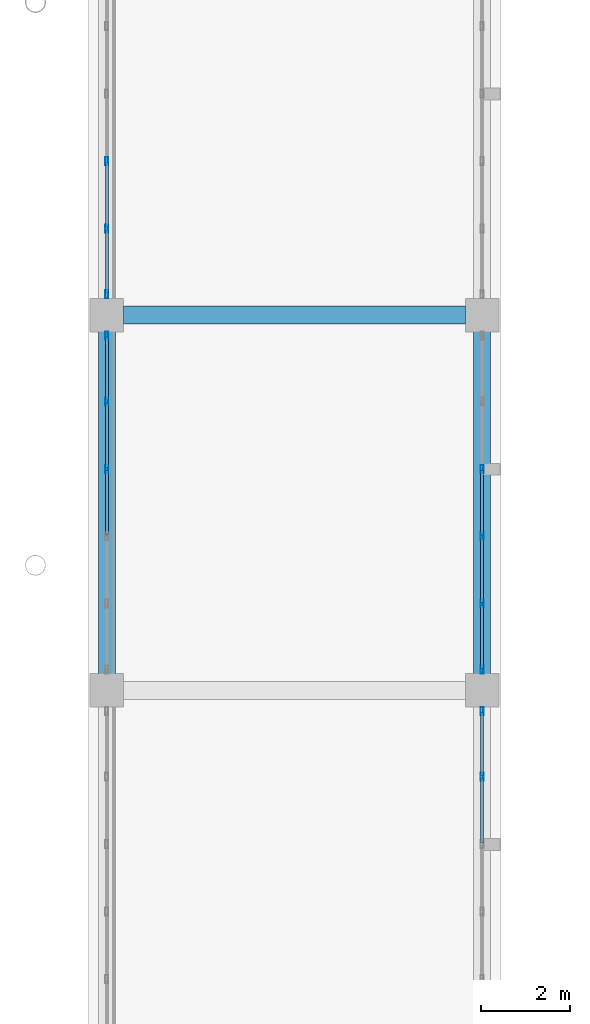
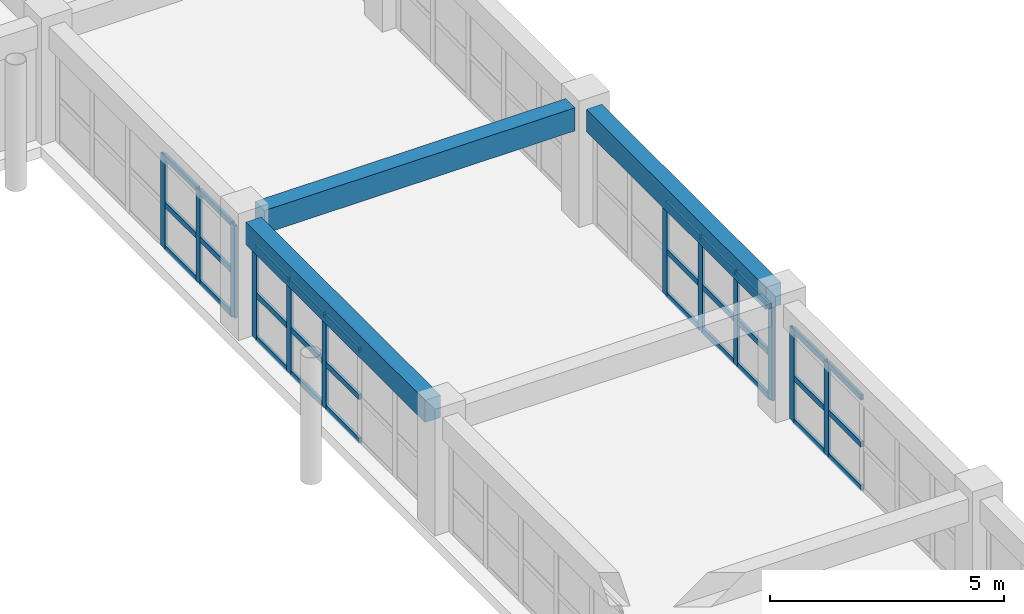
# One storey, part 139 of 200: 42 members, 3 beams, 4 elements without a shape of their own.
"""IFC4 building model written with IfcOpenShell, lengths in metres."""

from ifc_helpers import new_model, si_unit, direction, frame, origin, origin_2d, place, context, subcontext, project, spatial, rectangle, hollow_rectangle, extrude, material, layer, layer_set, material_profile, profile_set, type_object, element, aggregate, save


model = new_model("IFC4")

# Units and contexts
model_context = context("Model", 3, precision=1e-05, world=origin(), true_north=direction((0.0, 1.0)))
body_context = subcontext(model_context, "Body", "Model", "MODEL_VIEW")
ifc_project = project(units=[si_unit("LENGTHUNIT", "METRE"), si_unit("AREAUNIT", "SQUARE_METRE"), si_unit("VOLUMEUNIT", "CUBIC_METRE"), si_unit("PLANEANGLEUNIT", "RADIAN"), si_unit("MASSUNIT", "GRAM", prefix="KILO")], contexts=[model_context])

# Site, building, storey
site_placement = place(None, origin())
site = spatial("IfcSite", under=ifc_project, at=site_placement, CompositionType="ELEMENT")
building_placement = place(site_placement, origin())
building = spatial("IfcBuilding", under=site, at=building_placement, Name="Trelvath General Hospital", CompositionType="ELEMENT")
storey_placement = place(building_placement, frame((0.0, 0.0, 4.800048828125)))
storey = spatial("IfcBuildingStorey", under=building, at=storey_placement, Name="L01", CompositionType="ELEMENT", Elevation=4.800048828125)

# Beams
ifc_material_1 = material(Name="Concrete C35/45", Category="concrete")
ifc_material_profile_1 = material_profile(ifc_material_1, rectangle(XDim=0.3798828125, YDim=0.580078125, at=origin_2d()), Name="RCB380x580")
ifc_profile_set_1 = profile_set([ifc_material_profile_1], Name="Concrete C35/45")
beam_type_1 = type_object("IfcBeamType", Name="Beam RC380x580", PredefinedType="BEAM", material=ifc_profile_set_1)
for number, where, z_axis, x_axis, name in (
    (1, (176.39990234375, 50.77001953125, 2.72998046875), (0.0, 1.0, 0.0), (-1.0, 0.0, 0.0), "Grid Beam BY-121G"),
    (2, (184.800048828125, 50.77001953125, 2.72998046875), (0.0, 1.0, 0.0), (-1.0, 0.0, 0.0), "Grid Beam BY-122G"),
):
    element("IfcBeam", number, at=place(storey_placement, frame(where, z_axis=z_axis, x_axis=x_axis)), inside=storey, type_object=beam_type_1, Name=name, PredefinedType="BEAM", context=body_context, shape_type="SweptSolid", body=[
        extrude(rectangle(XDim=0.3798828125, YDim=0.580078125, at=origin_2d()), origin(), (0.0, 0.0, 1.0), 7.659912109375),
    ])
ifc_material_2 = material(Name="Concrete C35/45", Category="concrete")
ifc_material_profile_2 = material_profile(ifc_material_2, rectangle(XDim=0.39990234375, YDim=0.60009765625, at=origin_2d()), Name="RCB400x600")
ifc_profile_set_2 = profile_set([ifc_material_profile_2], Name="Concrete C35/45")
beam_type_2 = type_object("IfcBeamType", Name="Beam RC400x600", PredefinedType="BEAM", material=ifc_profile_set_2)
beam_placement = place(storey_placement, frame((176.77001953125, 58.800048828125, 2.719970703125), z_axis=(1.0, 0.0, 0.0), x_axis=(0.0, 1.0, 0.0)))
element("IfcBeam", 3, at=beam_placement, inside=storey, type_object=beam_type_2, Name="Grid Beam BX-121H", PredefinedType="BEAM", context=body_context, shape_type="SweptSolid", body=[
    extrude(rectangle(XDim=0.39990234375, YDim=0.60009765625, at=origin_2d()), origin(), (0.0, 0.0, 1.0), 7.659912109375),
])

# Curtain wall, members
ifc_material_3 = material(Name="Anodised aluminium and low-E glass", Category="aluminium")
ifc_layer = layer(ifc_material_3, 0.179931640625)
ifc_layer_set = layer_set([ifc_layer], Name="Anodised aluminium and low-E glass")
curtain_wall_type = type_object("IfcCurtainWallType", Name="CW Facade 754 242 18", PredefinedType="USERDEFINED", material=ifc_layer_set)
curtain_wall_1_placement = place(storey_placement, origin())
curtain_wall_1 = element("IfcCurtainWall", 4, at=curtain_wall_1_placement, inside=storey, type_object=curtain_wall_type, Name="Facade Curtain Wall CW-035", ObjectType="Unitised Glazed Curtain Wall", PredefinedType="USERDEFINED")
ifc_material_4 = material(Name="Anodised aluminium", Category="aluminium")
ifc_material_profile_3 = material_profile(ifc_material_4, hollow_rectangle(XDim=0.06494140625, YDim=0.179931640625, WallThickness=0.0048828125, at=origin_2d()), Name="RHS65x180x5")
ifc_profile_set_3 = profile_set([ifc_material_profile_3], Name="Anodised aluminium")
member_type_1 = type_object("IfcMemberType", Name="CurtainMullion 65x180", PredefinedType="MULLION", material=ifc_profile_set_3)
member_1_placement = place(storey_placement, frame((184.800048828125, 49.9375, 0.0), z_axis=(0.0, 0.0, 1.0), x_axis=(1.0, 0.0, 0.0)))
member_1 = element("IfcMember", 5, at=member_1_placement, type_object=member_type_1, Name="CW-035 mullion 1", PredefinedType="MULLION", context=body_context, shape_type="SweptSolid", body=[
    extrude(hollow_rectangle(XDim=0.06494140625, YDim=0.179931640625, WallThickness=0.0048828125, at=origin_2d()), origin(), (0.0, 0.0, 1.0), 2.419921875),
])
member_2_placement = place(storey_placement, frame((184.800048828125, 48.4619140625, 0.0), z_axis=(0.0, 0.0, 1.0), x_axis=(1.0, 0.0, 0.0)))
member_2 = element("IfcMember", 6, at=member_2_placement, type_object=member_type_1, Name="CW-035 mullion 2", PredefinedType="MULLION", context=body_context, shape_type="SweptSolid", body=[
    extrude(hollow_rectangle(XDim=0.06494140625, YDim=0.179931640625, WallThickness=0.0048828125, at=origin_2d()), origin(), (0.0, 0.0, 1.0), 2.419921875),
])

curtain_wall_2_placement = place(storey_placement, origin())
curtain_wall_2 = element("IfcCurtainWall", 7, at=curtain_wall_2_placement, inside=storey, type_object=curtain_wall_type, Name="Facade Curtain Wall CW-036", ObjectType="Unitised Glazed Curtain Wall", PredefinedType="USERDEFINED")
member_3_placement = place(storey_placement, frame((176.39990234375, 55.35400390625, 0.0), z_axis=(0.0, 0.0, 1.0), x_axis=(-1.0, 0.0, 0.0)))
member_3 = element("IfcMember", 8, at=member_3_placement, type_object=member_type_1, Name="CW-036 mullion 4", PredefinedType="MULLION", context=body_context, shape_type="SweptSolid", body=[
    extrude(hollow_rectangle(XDim=0.06494140625, YDim=0.179931640625, WallThickness=0.0048828125, at=origin_2d()), origin(), (0.0, 0.0, 1.0), 2.419921875),
])
member_4_placement = place(storey_placement, frame((176.39990234375, 56.862060546875, 0.0), z_axis=(0.0, 0.0, 1.0), x_axis=(-1.0, 0.0, 0.0)))
member_4 = element("IfcMember", 9, at=member_4_placement, type_object=member_type_1, Name="CW-036 mullion 5", PredefinedType="MULLION", context=body_context, shape_type="SweptSolid", body=[
    extrude(hollow_rectangle(XDim=0.06494140625, YDim=0.179931640625, WallThickness=0.0048828125, at=origin_2d()), origin(), (0.0, 0.0, 1.0), 2.419921875),
])
member_5_placement = place(storey_placement, frame((176.39990234375, 58.33740234375, 0.0), z_axis=(0.0, 0.0, 1.0), x_axis=(-1.0, 0.0, 0.0)))
member_5 = element("IfcMember", 10, at=member_5_placement, type_object=member_type_1, Name="CW-036 mullion 6", PredefinedType="MULLION", context=body_context, shape_type="SweptSolid", body=[
    extrude(hollow_rectangle(XDim=0.06494140625, YDim=0.179931640625, WallThickness=0.0048828125, at=origin_2d()), origin(), (0.0, 0.0, 1.0), 2.419921875),
])

curtain_wall_3_placement = place(storey_placement, origin())
curtain_wall_3 = element("IfcCurtainWall", 11, at=curtain_wall_3_placement, inside=storey, type_object=curtain_wall_type, Name="Facade Curtain Wall CW-037", ObjectType="Unitised Glazed Curtain Wall", PredefinedType="USERDEFINED")
member_6_placement = place(storey_placement, frame((184.800048828125, 55.35400390625, 0.0), z_axis=(0.0, 0.0, 1.0), x_axis=(1.0, 0.0, 0.0)))
member_6 = element("IfcMember", 12, at=member_6_placement, type_object=member_type_1, Name="CW-037 mullion 3", PredefinedType="MULLION", context=body_context, shape_type="SweptSolid", body=[
    extrude(hollow_rectangle(XDim=0.06494140625, YDim=0.179931640625, WallThickness=0.0048828125, at=origin_2d()), origin(), (0.0, 0.0, 1.0), 2.419921875),
])
member_7_placement = place(storey_placement, frame((184.800048828125, 53.845947265625, 0.0), z_axis=(0.0, 0.0, 1.0), x_axis=(1.0, 0.0, 0.0)))
member_7 = element("IfcMember", 13, at=member_7_placement, type_object=member_type_1, Name="CW-037 mullion 4", PredefinedType="MULLION", context=body_context, shape_type="SweptSolid", body=[
    extrude(hollow_rectangle(XDim=0.06494140625, YDim=0.179931640625, WallThickness=0.0048828125, at=origin_2d()), origin(), (0.0, 0.0, 1.0), 2.419921875),
])
member_8_placement = place(storey_placement, frame((184.800048828125, 52.337890625, 0.0), z_axis=(0.0, 0.0, 1.0), x_axis=(1.0, 0.0, 0.0)))
member_8 = element("IfcMember", 14, at=member_8_placement, type_object=member_type_1, Name="CW-037 mullion 5", PredefinedType="MULLION", context=body_context, shape_type="SweptSolid", body=[
    extrude(hollow_rectangle(XDim=0.06494140625, YDim=0.179931640625, WallThickness=0.0048828125, at=origin_2d()), origin(), (0.0, 0.0, 1.0), 2.419921875),
])
member_9_placement = place(storey_placement, frame((184.800048828125, 50.862548828125, 0.0), z_axis=(0.0, 0.0, 1.0), x_axis=(1.0, 0.0, 0.0)))
member_9 = element("IfcMember", 15, at=member_9_placement, type_object=member_type_1, Name="CW-037 mullion 6", PredefinedType="MULLION", context=body_context, shape_type="SweptSolid", body=[
    extrude(hollow_rectangle(XDim=0.06494140625, YDim=0.179931640625, WallThickness=0.0048828125, at=origin_2d()), origin(), (0.0, 0.0, 1.0), 2.419921875),
])

curtain_wall_4_placement = place(storey_placement, origin())
curtain_wall_4 = element("IfcCurtainWall", 16, at=curtain_wall_4_placement, inside=storey, type_object=curtain_wall_type, Name="Facade Curtain Wall CW-038", ObjectType="Unitised Glazed Curtain Wall", PredefinedType="USERDEFINED")
member_10_placement = place(storey_placement, frame((176.39990234375, 59.262451171875, 0.0), z_axis=(0.0, 0.0, 1.0), x_axis=(-1.0, 0.0, 0.0)))
member_10 = element("IfcMember", 17, at=member_10_placement, type_object=member_type_1, Name="CW-038 mullion 1", PredefinedType="MULLION", context=body_context, shape_type="SweptSolid", body=[
    extrude(hollow_rectangle(XDim=0.06494140625, YDim=0.179931640625, WallThickness=0.0048828125, at=origin_2d()), origin(), (0.0, 0.0, 1.0), 2.419921875),
])
member_11_placement = place(storey_placement, frame((176.39990234375, 60.738037109375, 0.0), z_axis=(0.0, 0.0, 1.0), x_axis=(-1.0, 0.0, 0.0)))
member_11 = element("IfcMember", 18, at=member_11_placement, type_object=member_type_1, Name="CW-038 mullion 2", PredefinedType="MULLION", context=body_context, shape_type="SweptSolid", body=[
    extrude(hollow_rectangle(XDim=0.06494140625, YDim=0.179931640625, WallThickness=0.0048828125, at=origin_2d()), origin(), (0.0, 0.0, 1.0), 2.419921875),
])
member_12_placement = place(storey_placement, frame((176.39990234375, 62.24609375, 0.0), z_axis=(0.0, 0.0, 1.0), x_axis=(-1.0, 0.0, 0.0)))
member_12 = element("IfcMember", 19, at=member_12_placement, type_object=member_type_1, Name="CW-038 mullion 3", PredefinedType="MULLION", context=body_context, shape_type="SweptSolid", body=[
    extrude(hollow_rectangle(XDim=0.06494140625, YDim=0.179931640625, WallThickness=0.0048828125, at=origin_2d()), origin(), (0.0, 0.0, 1.0), 2.419921875),
])

# Member
ifc_material_5 = material(Name="Anodised aluminium", Category="aluminium")
ifc_material_profile_4 = material_profile(ifc_material_5, hollow_rectangle(XDim=0.06494140625, YDim=0.14501953125, WallThickness=0.00390625, at=origin_2d()), Name="RHS65x145x4")
ifc_profile_set_4 = profile_set([ifc_material_profile_4], Name="Anodised aluminium")
member_type_2 = type_object("IfcMemberType", Name="CurtainTransom 65x145", PredefinedType="USERDEFINED", material=ifc_profile_set_4)
member_13_placement = place(storey_placement, frame((184.800048828125, 49.905029296875, 0.032470703125), z_axis=(0.0, -1.0, 0.0), x_axis=(1.0, 0.0, 0.0)))
member_13 = element("IfcMember", 20, at=member_13_placement, type_object=member_type_2, Name="CW-035 transom 1.1", ObjectType="TRANSOM", PredefinedType="USERDEFINED", context=body_context, shape_type="SweptSolid", body=[
    extrude(hollow_rectangle(XDim=0.06494140625, YDim=0.14501953125, WallThickness=0.00390625, at=origin_2d()), origin(), (0.0, 0.0, 1.0), 1.41064453125),
])

member_14_placement = place(storey_placement, frame((184.800048828125, 49.905029296875, 1.161865234375), z_axis=(0.0, -1.0, 0.0), x_axis=(1.0, 0.0, 0.0)))
member_14 = element("IfcMember", 21, at=member_14_placement, type_object=member_type_2, Name="CW-035 transom 1.2", ObjectType="TRANSOM", PredefinedType="USERDEFINED", context=body_context, shape_type="SweptSolid", body=[
    extrude(hollow_rectangle(XDim=0.06494140625, YDim=0.14501953125, WallThickness=0.00390625, at=origin_2d()), origin(), (0.0, 0.0, 1.0), 1.41064453125),
])

member_15_placement = place(storey_placement, frame((184.800048828125, 49.905029296875, 2.387451171875), z_axis=(0.0, -1.0, 0.0), x_axis=(1.0, 0.0, 0.0)))
member_15 = element("IfcMember", 22, at=member_15_placement, type_object=member_type_2, Name="CW-035 transom 1.3", ObjectType="TRANSOM", PredefinedType="USERDEFINED", context=body_context, shape_type="SweptSolid", body=[
    extrude(hollow_rectangle(XDim=0.06494140625, YDim=0.14501953125, WallThickness=0.00390625, at=origin_2d()), origin(), (0.0, 0.0, 1.0), 1.41064453125),
])

member_16_placement = place(storey_placement, frame((184.800048828125, 48.429443359375, 0.032470703125), z_axis=(0.0, -1.0, 0.0), x_axis=(1.0, 0.0, 0.0)))
member_16 = element("IfcMember", 23, at=member_16_placement, type_object=member_type_2, Name="CW-035 transom 2.1", ObjectType="TRANSOM", PredefinedType="USERDEFINED", context=body_context, shape_type="SweptSolid", body=[
    extrude(hollow_rectangle(XDim=0.06494140625, YDim=0.14501953125, WallThickness=0.00390625, at=origin_2d()), origin(), (0.0, 0.0, 1.0), 1.44287109375),
])

member_17_placement = place(storey_placement, frame((184.800048828125, 48.429443359375, 1.161865234375), z_axis=(0.0, -1.0, 0.0), x_axis=(1.0, 0.0, 0.0)))
member_17 = element("IfcMember", 24, at=member_17_placement, type_object=member_type_2, Name="CW-035 transom 2.2", ObjectType="TRANSOM", PredefinedType="USERDEFINED", context=body_context, shape_type="SweptSolid", body=[
    extrude(hollow_rectangle(XDim=0.06494140625, YDim=0.14501953125, WallThickness=0.00390625, at=origin_2d()), origin(), (0.0, 0.0, 1.0), 1.44287109375),
])

member_18_placement = place(storey_placement, frame((184.800048828125, 48.429443359375, 2.387451171875), z_axis=(0.0, -1.0, 0.0), x_axis=(1.0, 0.0, 0.0)))
member_18 = element("IfcMember", 25, at=member_18_placement, type_object=member_type_2, Name="CW-035 transom 2.3", ObjectType="TRANSOM", PredefinedType="USERDEFINED", context=body_context, shape_type="SweptSolid", body=[
    extrude(hollow_rectangle(XDim=0.06494140625, YDim=0.14501953125, WallThickness=0.00390625, at=origin_2d()), origin(), (0.0, 0.0, 1.0), 1.44287109375),
])

aggregate(curtain_wall_1, [member_1, member_2, member_13, member_14, member_15, member_16, member_17, member_18])

member_19_placement = place(storey_placement, frame((176.39990234375, 53.87841796875, 0.032470703125), z_axis=(0.0, 1.0, 0.0), x_axis=(-1.0, 0.0, 0.0)))
member_19 = element("IfcMember", 26, at=member_19_placement, type_object=member_type_2, Name="CW-036 transom 3.1", ObjectType="TRANSOM", PredefinedType="USERDEFINED", context=body_context, shape_type="SweptSolid", body=[
    extrude(hollow_rectangle(XDim=0.06494140625, YDim=0.14501953125, WallThickness=0.00390625, at=origin_2d()), origin(), (0.0, 0.0, 1.0), 1.443115234375),
])

member_20_placement = place(storey_placement, frame((176.39990234375, 53.87841796875, 1.161865234375), z_axis=(0.0, 1.0, 0.0), x_axis=(-1.0, 0.0, 0.0)))
member_20 = element("IfcMember", 27, at=member_20_placement, type_object=member_type_2, Name="CW-036 transom 3.2", ObjectType="TRANSOM", PredefinedType="USERDEFINED", context=body_context, shape_type="SweptSolid", body=[
    extrude(hollow_rectangle(XDim=0.06494140625, YDim=0.14501953125, WallThickness=0.00390625, at=origin_2d()), origin(), (0.0, 0.0, 1.0), 1.443115234375),
])

member_21_placement = place(storey_placement, frame((176.39990234375, 53.87841796875, 2.387451171875), z_axis=(0.0, 1.0, 0.0), x_axis=(-1.0, 0.0, 0.0)))
member_21 = element("IfcMember", 28, at=member_21_placement, type_object=member_type_2, Name="CW-036 transom 3.3", ObjectType="TRANSOM", PredefinedType="USERDEFINED", context=body_context, shape_type="SweptSolid", body=[
    extrude(hollow_rectangle(XDim=0.06494140625, YDim=0.14501953125, WallThickness=0.00390625, at=origin_2d()), origin(), (0.0, 0.0, 1.0), 1.443115234375),
])

member_22_placement = place(storey_placement, frame((176.39990234375, 55.386474609375, 0.032470703125), z_axis=(0.0, 1.0, 0.0), x_axis=(-1.0, 0.0, 0.0)))
member_22 = element("IfcMember", 29, at=member_22_placement, type_object=member_type_2, Name="CW-036 transom 4.1", ObjectType="TRANSOM", PredefinedType="USERDEFINED", context=body_context, shape_type="SweptSolid", body=[
    extrude(hollow_rectangle(XDim=0.06494140625, YDim=0.14501953125, WallThickness=0.00390625, at=origin_2d()), origin(), (0.0, 0.0, 1.0), 1.443115234375),
])

member_23_placement = place(storey_placement, frame((176.39990234375, 55.386474609375, 1.161865234375), z_axis=(0.0, 1.0, 0.0), x_axis=(-1.0, 0.0, 0.0)))
member_23 = element("IfcMember", 30, at=member_23_placement, type_object=member_type_2, Name="CW-036 transom 4.2", ObjectType="TRANSOM", PredefinedType="USERDEFINED", context=body_context, shape_type="SweptSolid", body=[
    extrude(hollow_rectangle(XDim=0.06494140625, YDim=0.14501953125, WallThickness=0.00390625, at=origin_2d()), origin(), (0.0, 0.0, 1.0), 1.443115234375),
])

member_24_placement = place(storey_placement, frame((176.39990234375, 55.386474609375, 2.387451171875), z_axis=(0.0, 1.0, 0.0), x_axis=(-1.0, 0.0, 0.0)))
member_24 = element("IfcMember", 31, at=member_24_placement, type_object=member_type_2, Name="CW-036 transom 4.3", ObjectType="TRANSOM", PredefinedType="USERDEFINED", context=body_context, shape_type="SweptSolid", body=[
    extrude(hollow_rectangle(XDim=0.06494140625, YDim=0.14501953125, WallThickness=0.00390625, at=origin_2d()), origin(), (0.0, 0.0, 1.0), 1.443115234375),
])

member_25_placement = place(storey_placement, frame((176.39990234375, 56.89453125, 0.032470703125), z_axis=(0.0, 1.0, 0.0), x_axis=(-1.0, 0.0, 0.0)))
member_25 = element("IfcMember", 32, at=member_25_placement, type_object=member_type_2, Name="CW-036 transom 5.1", ObjectType="TRANSOM", PredefinedType="USERDEFINED", context=body_context, shape_type="SweptSolid", body=[
    extrude(hollow_rectangle(XDim=0.06494140625, YDim=0.14501953125, WallThickness=0.00390625, at=origin_2d()), origin(), (0.0, 0.0, 1.0), 1.410400390625),
])

member_26_placement = place(storey_placement, frame((176.39990234375, 56.89453125, 1.161865234375), z_axis=(0.0, 1.0, 0.0), x_axis=(-1.0, 0.0, 0.0)))
member_26 = element("IfcMember", 33, at=member_26_placement, type_object=member_type_2, Name="CW-036 transom 5.2", ObjectType="TRANSOM", PredefinedType="USERDEFINED", context=body_context, shape_type="SweptSolid", body=[
    extrude(hollow_rectangle(XDim=0.06494140625, YDim=0.14501953125, WallThickness=0.00390625, at=origin_2d()), origin(), (0.0, 0.0, 1.0), 1.410400390625),
])

member_27_placement = place(storey_placement, frame((176.39990234375, 56.89453125, 2.387451171875), z_axis=(0.0, 1.0, 0.0), x_axis=(-1.0, 0.0, 0.0)))
member_27 = element("IfcMember", 34, at=member_27_placement, type_object=member_type_2, Name="CW-036 transom 5.3", ObjectType="TRANSOM", PredefinedType="USERDEFINED", context=body_context, shape_type="SweptSolid", body=[
    extrude(hollow_rectangle(XDim=0.06494140625, YDim=0.14501953125, WallThickness=0.00390625, at=origin_2d()), origin(), (0.0, 0.0, 1.0), 1.410400390625),
])

aggregate(curtain_wall_2, [member_3, member_4, member_5, member_19, member_20, member_21, member_22, member_23, member_24, member_25, member_26, member_27])

member_28_placement = place(storey_placement, frame((184.800048828125, 55.321533203125, 0.032470703125), z_axis=(0.0, -1.0, 0.0), x_axis=(1.0, 0.0, 0.0)))
member_28 = element("IfcMember", 35, at=member_28_placement, type_object=member_type_2, Name="CW-037 transom 3.1", ObjectType="TRANSOM", PredefinedType="USERDEFINED", context=body_context, shape_type="SweptSolid", body=[
    extrude(hollow_rectangle(XDim=0.06494140625, YDim=0.14501953125, WallThickness=0.00390625, at=origin_2d()), origin(), (0.0, 0.0, 1.0), 1.443115234375),
])

member_29_placement = place(storey_placement, frame((184.800048828125, 55.321533203125, 1.161865234375), z_axis=(0.0, -1.0, 0.0), x_axis=(1.0, 0.0, 0.0)))
member_29 = element("IfcMember", 36, at=member_29_placement, type_object=member_type_2, Name="CW-037 transom 3.2", ObjectType="TRANSOM", PredefinedType="USERDEFINED", context=body_context, shape_type="SweptSolid", body=[
    extrude(hollow_rectangle(XDim=0.06494140625, YDim=0.14501953125, WallThickness=0.00390625, at=origin_2d()), origin(), (0.0, 0.0, 1.0), 1.443115234375),
])

member_30_placement = place(storey_placement, frame((184.800048828125, 55.321533203125, 2.387451171875), z_axis=(0.0, -1.0, 0.0), x_axis=(1.0, 0.0, 0.0)))
member_30 = element("IfcMember", 37, at=member_30_placement, type_object=member_type_2, Name="CW-037 transom 3.3", ObjectType="TRANSOM", PredefinedType="USERDEFINED", context=body_context, shape_type="SweptSolid", body=[
    extrude(hollow_rectangle(XDim=0.06494140625, YDim=0.14501953125, WallThickness=0.00390625, at=origin_2d()), origin(), (0.0, 0.0, 1.0), 1.443115234375),
])

member_31_placement = place(storey_placement, frame((184.800048828125, 53.8134765625, 0.032470703125), z_axis=(0.0, -1.0, 0.0), x_axis=(1.0, 0.0, 0.0)))
member_31 = element("IfcMember", 38, at=member_31_placement, type_object=member_type_2, Name="CW-037 transom 4.1", ObjectType="TRANSOM", PredefinedType="USERDEFINED", context=body_context, shape_type="SweptSolid", body=[
    extrude(hollow_rectangle(XDim=0.06494140625, YDim=0.14501953125, WallThickness=0.00390625, at=origin_2d()), origin(), (0.0, 0.0, 1.0), 1.44287109375),
])

member_32_placement = place(storey_placement, frame((184.800048828125, 53.8134765625, 1.161865234375), z_axis=(0.0, -1.0, 0.0), x_axis=(1.0, 0.0, 0.0)))
member_32 = element("IfcMember", 39, at=member_32_placement, type_object=member_type_2, Name="CW-037 transom 4.2", ObjectType="TRANSOM", PredefinedType="USERDEFINED", context=body_context, shape_type="SweptSolid", body=[
    extrude(hollow_rectangle(XDim=0.06494140625, YDim=0.14501953125, WallThickness=0.00390625, at=origin_2d()), origin(), (0.0, 0.0, 1.0), 1.44287109375),
])

member_33_placement = place(storey_placement, frame((184.800048828125, 53.8134765625, 2.387451171875), z_axis=(0.0, -1.0, 0.0), x_axis=(1.0, 0.0, 0.0)))
member_33 = element("IfcMember", 40, at=member_33_placement, type_object=member_type_2, Name="CW-037 transom 4.3", ObjectType="TRANSOM", PredefinedType="USERDEFINED", context=body_context, shape_type="SweptSolid", body=[
    extrude(hollow_rectangle(XDim=0.06494140625, YDim=0.14501953125, WallThickness=0.00390625, at=origin_2d()), origin(), (0.0, 0.0, 1.0), 1.44287109375),
])

member_34_placement = place(storey_placement, frame((184.800048828125, 52.305419921875, 0.032470703125), z_axis=(0.0, -1.0, 0.0), x_axis=(1.0, 0.0, 0.0)))
member_34 = element("IfcMember", 41, at=member_34_placement, type_object=member_type_2, Name="CW-037 transom 5.1", ObjectType="TRANSOM", PredefinedType="USERDEFINED", context=body_context, shape_type="SweptSolid", body=[
    extrude(hollow_rectangle(XDim=0.06494140625, YDim=0.14501953125, WallThickness=0.00390625, at=origin_2d()), origin(), (0.0, 0.0, 1.0), 1.410400390625),
])

member_35_placement = place(storey_placement, frame((184.800048828125, 52.305419921875, 1.161865234375), z_axis=(0.0, -1.0, 0.0), x_axis=(1.0, 0.0, 0.0)))
member_35 = element("IfcMember", 42, at=member_35_placement, type_object=member_type_2, Name="CW-037 transom 5.2", ObjectType="TRANSOM", PredefinedType="USERDEFINED", context=body_context, shape_type="SweptSolid", body=[
    extrude(hollow_rectangle(XDim=0.06494140625, YDim=0.14501953125, WallThickness=0.00390625, at=origin_2d()), origin(), (0.0, 0.0, 1.0), 1.410400390625),
])

member_36_placement = place(storey_placement, frame((184.800048828125, 52.305419921875, 2.387451171875), z_axis=(0.0, -1.0, 0.0), x_axis=(1.0, 0.0, 0.0)))
member_36 = element("IfcMember", 43, at=member_36_placement, type_object=member_type_2, Name="CW-037 transom 5.3", ObjectType="TRANSOM", PredefinedType="USERDEFINED", context=body_context, shape_type="SweptSolid", body=[
    extrude(hollow_rectangle(XDim=0.06494140625, YDim=0.14501953125, WallThickness=0.00390625, at=origin_2d()), origin(), (0.0, 0.0, 1.0), 1.410400390625),
])

aggregate(curtain_wall_3, [member_6, member_7, member_8, member_9, member_28, member_29, member_30, member_31, member_32, member_33, member_34, member_35, member_36])

member_37_placement = place(storey_placement, frame((176.39990234375, 59.294921875, 0.032470703125), z_axis=(0.0, 1.0, 0.0), x_axis=(-1.0, 0.0, 0.0)))
member_37 = element("IfcMember", 44, at=member_37_placement, type_object=member_type_2, Name="CW-038 transom 1.1", ObjectType="TRANSOM", PredefinedType="USERDEFINED", context=body_context, shape_type="SweptSolid", body=[
    extrude(hollow_rectangle(XDim=0.06494140625, YDim=0.14501953125, WallThickness=0.00390625, at=origin_2d()), origin(), (0.0, 0.0, 1.0), 1.41064453125),
])

member_38_placement = place(storey_placement, frame((176.39990234375, 59.294921875, 1.161865234375), z_axis=(0.0, 1.0, 0.0), x_axis=(-1.0, 0.0, 0.0)))
member_38 = element("IfcMember", 45, at=member_38_placement, type_object=member_type_2, Name="CW-038 transom 1.2", ObjectType="TRANSOM", PredefinedType="USERDEFINED", context=body_context, shape_type="SweptSolid", body=[
    extrude(hollow_rectangle(XDim=0.06494140625, YDim=0.14501953125, WallThickness=0.00390625, at=origin_2d()), origin(), (0.0, 0.0, 1.0), 1.41064453125),
])

member_39_placement = place(storey_placement, frame((176.39990234375, 59.294921875, 2.387451171875), z_axis=(0.0, 1.0, 0.0), x_axis=(-1.0, 0.0, 0.0)))
member_39 = element("IfcMember", 46, at=member_39_placement, type_object=member_type_2, Name="CW-038 transom 1.3", ObjectType="TRANSOM", PredefinedType="USERDEFINED", context=body_context, shape_type="SweptSolid", body=[
    extrude(hollow_rectangle(XDim=0.06494140625, YDim=0.14501953125, WallThickness=0.00390625, at=origin_2d()), origin(), (0.0, 0.0, 1.0), 1.41064453125),
])

member_40_placement = place(storey_placement, frame((176.39990234375, 60.7705078125, 0.032470703125), z_axis=(0.0, 1.0, 0.0), x_axis=(-1.0, 0.0, 0.0)))
member_40 = element("IfcMember", 47, at=member_40_placement, type_object=member_type_2, Name="CW-038 transom 2.1", ObjectType="TRANSOM", PredefinedType="USERDEFINED", context=body_context, shape_type="SweptSolid", body=[
    extrude(hollow_rectangle(XDim=0.06494140625, YDim=0.14501953125, WallThickness=0.00390625, at=origin_2d()), origin(), (0.0, 0.0, 1.0), 1.44287109375),
])

member_41_placement = place(storey_placement, frame((176.39990234375, 60.7705078125, 1.161865234375), z_axis=(0.0, 1.0, 0.0), x_axis=(-1.0, 0.0, 0.0)))
member_41 = element("IfcMember", 48, at=member_41_placement, type_object=member_type_2, Name="CW-038 transom 2.2", ObjectType="TRANSOM", PredefinedType="USERDEFINED", context=body_context, shape_type="SweptSolid", body=[
    extrude(hollow_rectangle(XDim=0.06494140625, YDim=0.14501953125, WallThickness=0.00390625, at=origin_2d()), origin(), (0.0, 0.0, 1.0), 1.44287109375),
])

member_42_placement = place(storey_placement, frame((176.39990234375, 60.7705078125, 2.387451171875), z_axis=(0.0, 1.0, 0.0), x_axis=(-1.0, 0.0, 0.0)))
member_42 = element("IfcMember", 49, at=member_42_placement, type_object=member_type_2, Name="CW-038 transom 2.3", ObjectType="TRANSOM", PredefinedType="USERDEFINED", context=body_context, shape_type="SweptSolid", body=[
    extrude(hollow_rectangle(XDim=0.06494140625, YDim=0.14501953125, WallThickness=0.00390625, at=origin_2d()), origin(), (0.0, 0.0, 1.0), 1.44287109375),
])

aggregate(curtain_wall_4, [member_10, member_11, member_12, member_37, member_38, member_39, member_40, member_41, member_42])

save(model, "model.ifc")
